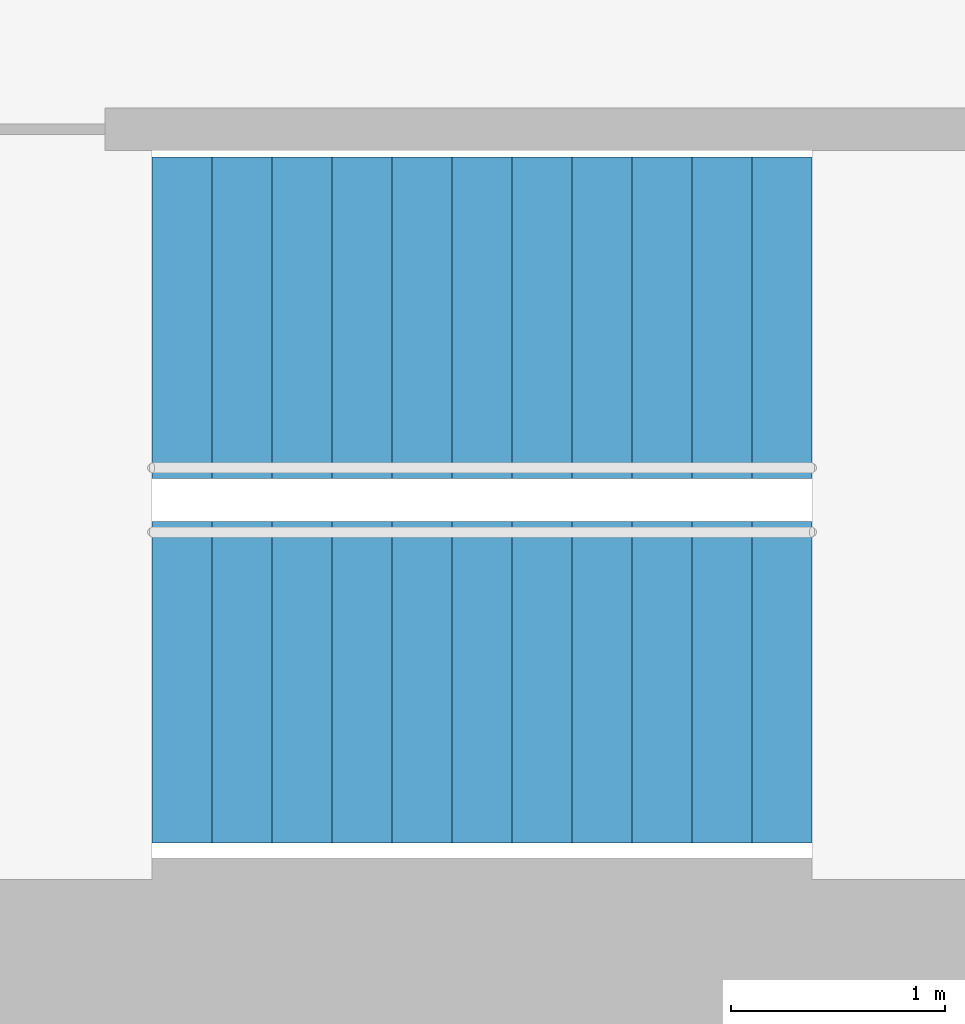
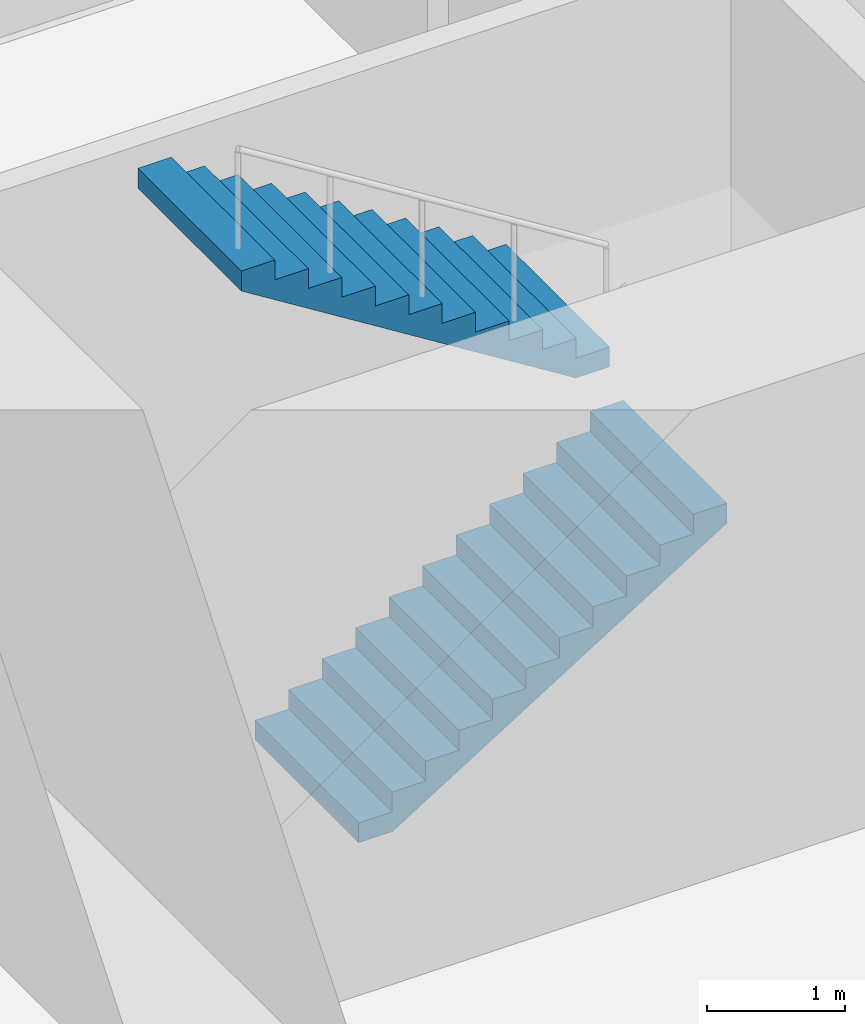
# One storey, part 15 of 17: 2 stair flights, 1 element without a shape of its own.
"""IFC4 building model written with IfcOpenShell, lengths in metres."""

from ifc_helpers import new_model, si_unit, direction, frame, origin, place, context, subcontext, project, spatial, triangles, material, type_object, element, aggregate, save


model = new_model("IFC4")

# Units and contexts
model_context = context("Model", 3, precision=1e-05, world=origin(), true_north=direction((0.0, 1.0)))
body_context = subcontext(model_context, "Body", "Model", "MODEL_VIEW")
ifc_project = project(units=[si_unit("LENGTHUNIT", "METRE"), si_unit("AREAUNIT", "SQUARE_METRE"), si_unit("VOLUMEUNIT", "CUBIC_METRE"), si_unit("PLANEANGLEUNIT", "RADIAN"), si_unit("MASSUNIT", "GRAM", prefix="KILO")], contexts=[model_context])

# Site, building, storey
site_placement = place(None, origin())
site = spatial("IfcSite", under=ifc_project, at=site_placement, CompositionType="ELEMENT")
building_placement = place(site_placement, origin())
building = spatial("IfcBuilding", under=site, at=building_placement, Name="Lantaw Convention Tower", CompositionType="ELEMENT")
storey_placement = place(building_placement, frame((0.0, 0.0, 125.800048828125)))
storey = spatial("IfcBuildingStorey", under=building, at=storey_placement, Name="L29", CompositionType="ELEMENT", Elevation=125.800048828125)

# Stair, stair flights
ifc_material = material(Name="Concrete C35/45", Category="concrete")
stair_type = type_object("IfcStairType", Name="Exit stair 1500 riser 175 in 2 flights", PredefinedType="HALF_TURN_STAIR", material=ifc_material)
stair_placement = place(storey_placement, origin())
stair = element("IfcStair", 1, at=stair_placement, inside=storey, type_object=stair_type, Name="Exit stair S1 L29", PredefinedType="HALF_TURN_STAIR")
stair_flight_type = type_object("IfcStairFlightType", Name="Stair flight 1500 riser 175", PredefinedType="STRAIGHT", material=ifc_material)
stair_flight_1_placement = place(storey_placement, frame((-10.580078125, -5.97998046875, 0.0), z_axis=(0.0, 0.0, 1.0), x_axis=(1.0, 0.0, 0.0)))
stair_flight_1 = element("IfcStairFlight", 2, at=stair_flight_1_placement, type_object=stair_flight_type, Name="S1 flight 1", NumberOfRisers=12, NumberOfTreads=11, PredefinedType="STRAIGHT", RiserHeight=0.175, TreadLength=0.28, context=body_context, shape_type="Tessellation", body=[
    triangles([(0.0, 0.75, 0.0), (0.0, 0.75, 0.175), (0.28, 0.75, 0.0), (0.28, 0.75, 0.175), (0.28, 0.75, 0.35), (0.28283517651771284, 0.75, 0.0), (0.28283517651771284, 0.75, 0.35), (0.56, 0.75, 0.17322801467642948), (0.56, 0.75, 0.35), (0.56, 0.75, 0.5249999999999999), (0.8400000000000001, 0.75, 0.34822801467642944), (0.8400000000000001, 0.75, 0.5249999999999999), (0.8400000000000001, 0.75, 0.7), (1.12, 0.75, 0.5232280146764294), (1.12, 0.75, 0.7), (1.12, 0.75, 0.875), (1.4000000000000001, 0.75, 0.6982280146764295), (1.4000000000000001, 0.75, 0.875), (1.4000000000000001, 0.75, 1.0499999999999998), (1.6800000000000002, 0.75, 0.8732280146764294), (1.6800000000000002, 0.75, 1.0499999999999998), (1.6800000000000002, 0.75, 1.2249999999999999), (1.9600000000000002, 0.75, 1.0482280146764293), (1.9600000000000002, 0.75, 1.2249999999999999), (1.9600000000000002, 0.75, 1.4), (2.24, 0.75, 1.2232280146764294), (2.24, 0.75, 1.4), (2.24, 0.75, 1.575), (2.5200000000000005, 0.75, 1.3982280146764294), (2.5200000000000005, 0.75, 1.575), (2.5200000000000005, 0.75, 1.75), (2.8000000000000003, 0.75, 1.5732280146764293), (2.8000000000000003, 0.75, 1.75), (2.8000000000000003, 0.75, 1.9249999999999998), (3.08, 0.75, 1.7482280146764293), (3.08, 0.75, 1.9249999999999998), (0.0, -0.75, 0.0), (0.0, -0.75, 0.175), (0.28, -0.75, 0.0), (0.28, -0.75, 0.175), (0.28, -0.75, 0.35), (0.28283517651771284, -0.75, 0.0), (0.28283517651771284, -0.75, 0.35), (0.56, -0.75, 0.17322801467642948), (0.56, -0.75, 0.35), (0.56, -0.75, 0.5249999999999999), (0.8400000000000001, -0.75, 0.34822801467642944), (0.8400000000000001, -0.75, 0.5249999999999999), (0.8400000000000001, -0.75, 0.7), (1.12, -0.75, 0.5232280146764294), (1.12, -0.75, 0.7), (1.12, -0.75, 0.875), (1.4000000000000001, -0.75, 0.6982280146764295), (1.4000000000000001, -0.75, 0.875), (1.4000000000000001, -0.75, 1.0499999999999998), (1.6800000000000002, -0.75, 0.8732280146764294), (1.6800000000000002, -0.75, 1.0499999999999998), (1.6800000000000002, -0.75, 1.2249999999999999), (1.9600000000000002, -0.75, 1.0482280146764293), (1.9600000000000002, -0.75, 1.2249999999999999), (1.9600000000000002, -0.75, 1.4), (2.24, -0.75, 1.2232280146764294), (2.24, -0.75, 1.4), (2.24, -0.75, 1.575), (2.5200000000000005, -0.75, 1.3982280146764294), (2.5200000000000005, -0.75, 1.575), (2.5200000000000005, -0.75, 1.75), (2.8000000000000003, -0.75, 1.5732280146764293), (2.8000000000000003, -0.75, 1.75), (2.8000000000000003, -0.75, 1.9249999999999998), (3.08, -0.75, 1.7482280146764293), (3.08, -0.75, 1.9249999999999998), (0.0, 0.15000000000000002, 0.175), (0.0, 0.15000000000000002, 0.0), (0.0, 0.0, 0.175), (0.0, 0.0, 0.0), (0.0, -0.15000000000000002, 0.175), (0.0, -0.15000000000000002, 0.0), (0.28, 0.15000000000000002, 0.35), (0.28, 0.15000000000000002, 0.175), (0.28, 0.0, 0.35), (0.28, 0.0, 0.175), (0.28, -0.15000000000000002, 0.35), (0.28, -0.15000000000000002, 0.175), (0.56, 0.15000000000000002, 0.5249999999999999), (0.56, 0.15000000000000002, 0.35), (0.56, 0.0, 0.5249999999999999), (0.56, 0.0, 0.35), (0.56, -0.15000000000000002, 0.5249999999999999), (0.56, -0.15000000000000002, 0.35), (0.8400000000000001, 0.15000000000000002, 0.7), (0.8400000000000001, 0.15000000000000002, 0.5249999999999999), (0.8400000000000001, 0.0, 0.7), (0.8400000000000001, 0.0, 0.5249999999999999), (0.8400000000000001, -0.15000000000000002, 0.7), (0.8400000000000001, -0.15000000000000002, 0.5249999999999999), (1.12, 0.15000000000000002, 0.875), (1.12, 0.15000000000000002, 0.7), (1.12, 0.0, 0.875), (1.12, 0.0, 0.7), (1.12, -0.15000000000000002, 0.875), (1.12, -0.15000000000000002, 0.7), (1.4000000000000001, 0.15000000000000002, 1.0499999999999998), (1.4000000000000001, 0.15000000000000002, 0.875), (1.4000000000000001, 0.0, 1.0499999999999998), (1.4000000000000001, 0.0, 0.875), (1.4000000000000001, -0.15000000000000002, 1.0499999999999998), (1.4000000000000001, -0.15000000000000002, 0.875), (1.6800000000000002, 0.15000000000000002, 1.2249999999999999), (1.6800000000000002, 0.15000000000000002, 1.0499999999999998), (1.6800000000000002, 0.0, 1.2249999999999999), (1.6800000000000002, 0.0, 1.0499999999999998), (1.6800000000000002, -0.15000000000000002, 1.2249999999999999), (1.6800000000000002, -0.15000000000000002, 1.0499999999999998), (1.9600000000000002, 0.15000000000000002, 1.4), (1.9600000000000002, 0.15000000000000002, 1.2249999999999999), (1.9600000000000002, 0.0, 1.4), (1.9600000000000002, 0.0, 1.2249999999999999), (1.9600000000000002, -0.15000000000000002, 1.4), (1.9600000000000002, -0.15000000000000002, 1.2249999999999999), (2.24, 0.15000000000000002, 1.575), (2.24, 0.15000000000000002, 1.4), (2.24, 0.0, 1.575), (2.24, 0.0, 1.4), (2.24, -0.15000000000000002, 1.575), (2.24, -0.15000000000000002, 1.4), (2.5200000000000005, 0.15000000000000002, 1.75), (2.5200000000000005, 0.15000000000000002, 1.575), (2.5200000000000005, 0.0, 1.75), (2.5200000000000005, 0.0, 1.575), (2.5200000000000005, -0.15000000000000002, 1.75), (2.5200000000000005, -0.15000000000000002, 1.575), (2.8000000000000003, 0.15000000000000002, 1.9249999999999998), (2.8000000000000003, 0.15000000000000002, 1.75), (2.8000000000000003, 0.0, 1.9249999999999998), (2.8000000000000003, 0.0, 1.75), (2.8000000000000003, -0.15000000000000002, 1.9249999999999998), (2.8000000000000003, -0.15000000000000002, 1.75), (0.28283517651771284, 0.15000000000000002, 0.35), (0.28283517651771284, 0.0, 0.35), (0.28283517651771284, -0.15000000000000002, 0.35), (3.08, 0.15000000000000002, 1.9249999999999998), (3.08, 0.0, 1.9249999999999998), (3.08, -0.15000000000000002, 1.9249999999999998), (3.08, 0.15000000000000002, 1.7482280146764293), (3.08, 0.0, 1.7482280146764293), (3.08, -0.15000000000000002, 1.7482280146764293), (2.8000000000000003, 0.15000000000000002, 1.5732280146764293), (2.8000000000000003, 0.0, 1.5732280146764293), (2.8000000000000003, -0.15000000000000002, 1.5732280146764293), (2.5200000000000005, 0.15000000000000002, 1.3982280146764294), (2.5200000000000005, 0.0, 1.3982280146764294), (2.5200000000000005, -0.15000000000000002, 1.3982280146764294), (2.24, 0.15000000000000002, 1.2232280146764294), (2.24, 0.0, 1.2232280146764294), (2.24, -0.15000000000000002, 1.2232280146764294), (1.9600000000000002, 0.15000000000000002, 1.0482280146764293), (1.9600000000000002, 0.0, 1.0482280146764293), (1.9600000000000002, -0.15000000000000002, 1.0482280146764293), (1.6800000000000002, 0.15000000000000002, 0.8732280146764294), (1.6800000000000002, 0.0, 0.8732280146764294), (1.6800000000000002, -0.15000000000000002, 0.8732280146764294), (1.4000000000000001, 0.15000000000000002, 0.6982280146764295), (1.4000000000000001, 0.0, 0.6982280146764295), (1.4000000000000001, -0.15000000000000002, 0.6982280146764295), (1.12, 0.15000000000000002, 0.5232280146764294), (1.12, 0.0, 0.5232280146764294), (1.12, -0.15000000000000002, 0.5232280146764294), (0.8400000000000001, 0.15000000000000002, 0.34822801467642944), (0.8400000000000001, 0.0, 0.34822801467642944), (0.8400000000000001, -0.15000000000000002, 0.34822801467642944), (0.56, 0.15000000000000002, 0.17322801467642948), (0.56, 0.0, 0.17322801467642948), (0.56, -0.15000000000000002, 0.17322801467642948), (0.28283517651771284, 0.15000000000000002, 0.0), (0.28283517651771284, 0.0, 0.0), (0.28283517651771284, -0.15000000000000002, 0.0), (0.28, 0.15000000000000002, 0.0), (0.28, 0.0, 0.0), (0.28, -0.15000000000000002, 0.0)], [[1, 4, 3], [1, 2, 4], [3, 4, 6], [4, 7, 6], [4, 5, 7], [6, 9, 8], [6, 7, 9], [8, 9, 11], [9, 12, 11], [9, 10, 12], [11, 12, 14], [12, 15, 14], [12, 13, 15], [14, 15, 17], [15, 18, 17], [15, 16, 18], [17, 18, 20], [18, 21, 20], [18, 19, 21], [20, 21, 23], [21, 24, 23], [21, 22, 24], [23, 24, 26], [24, 27, 26], [24, 25, 27], [26, 27, 29], [27, 30, 29], [27, 28, 30], [29, 30, 32], [30, 33, 32], [30, 31, 33], [32, 33, 35], [33, 36, 35], [33, 34, 36], [37, 39, 40], [37, 40, 38], [39, 42, 40], [40, 42, 43], [40, 43, 41], [42, 44, 45], [42, 45, 43], [44, 47, 45], [45, 47, 48], [45, 48, 46], [47, 50, 48], [48, 50, 51], [48, 51, 49], [50, 53, 51], [51, 53, 54], [51, 54, 52], [53, 56, 54], [54, 56, 57], [54, 57, 55], [56, 59, 57], [57, 59, 60], [57, 60, 58], [59, 62, 60], [60, 62, 63], [60, 63, 61], [62, 65, 63], [63, 65, 66], [63, 66, 64], [65, 68, 66], [66, 68, 69], [66, 69, 67], [68, 71, 69], [69, 71, 72], [69, 72, 70], [1, 73, 2], [1, 74, 73], [74, 75, 73], [74, 76, 75], [76, 77, 75], [76, 78, 77], [78, 38, 77], [78, 37, 38], [4, 79, 5], [4, 80, 79], [80, 81, 79], [80, 82, 81], [82, 83, 81], [82, 84, 83], [84, 41, 83], [84, 40, 41], [9, 85, 10], [9, 86, 85], [86, 87, 85], [86, 88, 87], [88, 89, 87], [88, 90, 89], [90, 46, 89], [90, 45, 46], [12, 91, 13], [12, 92, 91], [92, 93, 91], [92, 94, 93], [94, 95, 93], [94, 96, 95], [96, 49, 95], [96, 48, 49], [15, 97, 16], [15, 98, 97], [98, 99, 97], [98, 100, 99], [100, 101, 99], [100, 102, 101], [102, 52, 101], [102, 51, 52], [18, 103, 19], [18, 104, 103], [104, 105, 103], [104, 106, 105], [106, 107, 105], [106, 108, 107], [108, 55, 107], [108, 54, 55], [21, 109, 22], [21, 110, 109], [110, 111, 109], [110, 112, 111], [112, 113, 111], [112, 114, 113], [114, 58, 113], [114, 57, 58], [24, 115, 25], [24, 116, 115], [116, 117, 115], [116, 118, 117], [118, 119, 117], [118, 120, 119], [120, 61, 119], [120, 60, 61], [27, 121, 28], [27, 122, 121], [122, 123, 121], [122, 124, 123], [124, 125, 123], [124, 126, 125], [126, 64, 125], [126, 63, 64], [30, 127, 31], [30, 128, 127], [128, 129, 127], [128, 130, 129], [130, 131, 129], [130, 132, 131], [132, 67, 131], [132, 66, 67], [33, 133, 34], [33, 134, 133], [134, 135, 133], [134, 136, 135], [136, 137, 135], [136, 138, 137], [138, 70, 137], [138, 69, 70], [2, 80, 4], [2, 73, 80], [73, 82, 80], [73, 75, 82], [75, 84, 82], [75, 77, 84], [77, 40, 84], [77, 38, 40], [5, 139, 7], [5, 79, 139], [79, 140, 139], [79, 81, 140], [81, 141, 140], [81, 83, 141], [83, 43, 141], [83, 41, 43], [7, 86, 9], [7, 139, 86], [139, 88, 86], [139, 140, 88], [140, 90, 88], [140, 141, 90], [141, 45, 90], [141, 43, 45], [10, 92, 12], [10, 85, 92], [85, 94, 92], [85, 87, 94], [87, 96, 94], [87, 89, 96], [89, 48, 96], [89, 46, 48], [13, 98, 15], [13, 91, 98], [91, 100, 98], [91, 93, 100], [93, 102, 100], [93, 95, 102], [95, 51, 102], [95, 49, 51], [16, 104, 18], [16, 97, 104], [97, 106, 104], [97, 99, 106], [99, 108, 106], [99, 101, 108], [101, 54, 108], [101, 52, 54], [19, 110, 21], [19, 103, 110], [103, 112, 110], [103, 105, 112], [105, 114, 112], [105, 107, 114], [107, 57, 114], [107, 55, 57], [22, 116, 24], [22, 109, 116], [109, 118, 116], [109, 111, 118], [111, 120, 118], [111, 113, 120], [113, 60, 120], [113, 58, 60], [25, 122, 27], [25, 115, 122], [115, 124, 122], [115, 117, 124], [117, 126, 124], [117, 119, 126], [119, 63, 126], [119, 61, 63], [28, 128, 30], [28, 121, 128], [121, 130, 128], [121, 123, 130], [123, 132, 130], [123, 125, 132], [125, 66, 132], [125, 64, 66], [31, 134, 33], [31, 127, 134], [127, 136, 134], [127, 129, 136], [129, 138, 136], [129, 131, 138], [131, 69, 138], [131, 67, 69], [34, 142, 36], [34, 133, 142], [133, 143, 142], [133, 135, 143], [135, 144, 143], [135, 137, 144], [137, 72, 144], [137, 70, 72], [36, 145, 35], [36, 142, 145], [142, 146, 145], [142, 143, 146], [143, 147, 146], [143, 144, 147], [144, 71, 147], [144, 72, 71], [35, 148, 32], [35, 145, 148], [145, 149, 148], [145, 146, 149], [146, 150, 149], [146, 147, 150], [147, 68, 150], [147, 71, 68], [32, 151, 29], [32, 148, 151], [148, 152, 151], [148, 149, 152], [149, 153, 152], [149, 150, 153], [150, 65, 153], [150, 68, 65], [29, 154, 26], [29, 151, 154], [151, 155, 154], [151, 152, 155], [152, 156, 155], [152, 153, 156], [153, 62, 156], [153, 65, 62], [26, 157, 23], [26, 154, 157], [154, 158, 157], [154, 155, 158], [155, 159, 158], [155, 156, 159], [156, 59, 159], [156, 62, 59], [23, 160, 20], [23, 157, 160], [157, 161, 160], [157, 158, 161], [158, 162, 161], [158, 159, 162], [159, 56, 162], [159, 59, 56], [20, 163, 17], [20, 160, 163], [160, 164, 163], [160, 161, 164], [161, 165, 164], [161, 162, 165], [162, 53, 165], [162, 56, 53], [17, 166, 14], [17, 163, 166], [163, 167, 166], [163, 164, 167], [164, 168, 167], [164, 165, 168], [165, 50, 168], [165, 53, 50], [14, 169, 11], [14, 166, 169], [166, 170, 169], [166, 167, 170], [167, 171, 170], [167, 168, 171], [168, 47, 171], [168, 50, 47], [11, 172, 8], [11, 169, 172], [169, 173, 172], [169, 170, 173], [170, 174, 173], [170, 171, 174], [171, 44, 174], [171, 47, 44], [8, 175, 6], [8, 172, 175], [172, 176, 175], [172, 173, 176], [173, 177, 176], [173, 174, 177], [174, 42, 177], [174, 44, 42], [6, 178, 3], [6, 175, 178], [175, 179, 178], [175, 176, 179], [176, 180, 179], [176, 177, 180], [177, 39, 180], [177, 42, 39], [3, 74, 1], [3, 178, 74], [178, 76, 74], [178, 179, 76], [179, 78, 76], [179, 180, 78], [180, 37, 78], [180, 39, 37]], closed=True),
])
stair_flight_2_placement = place(storey_placement, frame((-7.5, -4.280029296875, 2.099853515625), z_axis=(0.0, 0.0, 1.0), x_axis=(-1.0, 0.0, 0.0)))
stair_flight_2 = element("IfcStairFlight", 3, at=stair_flight_2_placement, type_object=stair_flight_type, Name="S1 flight 2", NumberOfRisers=12, NumberOfTreads=11, PredefinedType="STRAIGHT", RiserHeight=0.175, TreadLength=0.28, context=body_context, shape_type="Tessellation", body=[
    triangles([(0.0, 0.75, 0.0), (0.0, 0.75, 0.175), (0.28, 0.75, 0.0), (0.28, 0.75, 0.175), (0.28, 0.75, 0.35), (0.28283517651771284, 0.75, 0.0), (0.28283517651771284, 0.75, 0.35), (0.56, 0.75, 0.17322801467642948), (0.56, 0.75, 0.35), (0.56, 0.75, 0.5249999999999999), (0.8400000000000001, 0.75, 0.34822801467642944), (0.8400000000000001, 0.75, 0.5249999999999999), (0.8400000000000001, 0.75, 0.7), (1.12, 0.75, 0.5232280146764294), (1.12, 0.75, 0.7), (1.12, 0.75, 0.875), (1.4000000000000001, 0.75, 0.6982280146764295), (1.4000000000000001, 0.75, 0.875), (1.4000000000000001, 0.75, 1.0499999999999998), (1.6800000000000002, 0.75, 0.8732280146764294), (1.6800000000000002, 0.75, 1.0499999999999998), (1.6800000000000002, 0.75, 1.2249999999999999), (1.9600000000000002, 0.75, 1.0482280146764293), (1.9600000000000002, 0.75, 1.2249999999999999), (1.9600000000000002, 0.75, 1.4), (2.24, 0.75, 1.2232280146764294), (2.24, 0.75, 1.4), (2.24, 0.75, 1.575), (2.5200000000000005, 0.75, 1.3982280146764294), (2.5200000000000005, 0.75, 1.575), (2.5200000000000005, 0.75, 1.75), (2.8000000000000003, 0.75, 1.5732280146764293), (2.8000000000000003, 0.75, 1.75), (2.8000000000000003, 0.75, 1.9249999999999998), (3.08, 0.75, 1.7482280146764293), (3.08, 0.75, 1.9249999999999998), (0.0, -0.75, 0.0), (0.0, -0.75, 0.175), (0.28, -0.75, 0.0), (0.28, -0.75, 0.175), (0.28, -0.75, 0.35), (0.28283517651771284, -0.75, 0.0), (0.28283517651771284, -0.75, 0.35), (0.56, -0.75, 0.17322801467642948), (0.56, -0.75, 0.35), (0.56, -0.75, 0.5249999999999999), (0.8400000000000001, -0.75, 0.34822801467642944), (0.8400000000000001, -0.75, 0.5249999999999999), (0.8400000000000001, -0.75, 0.7), (1.12, -0.75, 0.5232280146764294), (1.12, -0.75, 0.7), (1.12, -0.75, 0.875), (1.4000000000000001, -0.75, 0.6982280146764295), (1.4000000000000001, -0.75, 0.875), (1.4000000000000001, -0.75, 1.0499999999999998), (1.6800000000000002, -0.75, 0.8732280146764294), (1.6800000000000002, -0.75, 1.0499999999999998), (1.6800000000000002, -0.75, 1.2249999999999999), (1.9600000000000002, -0.75, 1.0482280146764293), (1.9600000000000002, -0.75, 1.2249999999999999), (1.9600000000000002, -0.75, 1.4), (2.24, -0.75, 1.2232280146764294), (2.24, -0.75, 1.4), (2.24, -0.75, 1.575), (2.5200000000000005, -0.75, 1.3982280146764294), (2.5200000000000005, -0.75, 1.575), (2.5200000000000005, -0.75, 1.75), (2.8000000000000003, -0.75, 1.5732280146764293), (2.8000000000000003, -0.75, 1.75), (2.8000000000000003, -0.75, 1.9249999999999998), (3.08, -0.75, 1.7482280146764293), (3.08, -0.75, 1.9249999999999998), (0.0, 0.15000000000000002, 0.175), (0.0, 0.15000000000000002, 0.0), (0.0, 0.0, 0.175), (0.0, 0.0, 0.0), (0.0, -0.15000000000000002, 0.175), (0.0, -0.15000000000000002, 0.0), (0.28, 0.15000000000000002, 0.35), (0.28, 0.15000000000000002, 0.175), (0.28, 0.0, 0.35), (0.28, 0.0, 0.175), (0.28, -0.15000000000000002, 0.35), (0.28, -0.15000000000000002, 0.175), (0.56, 0.15000000000000002, 0.5249999999999999), (0.56, 0.15000000000000002, 0.35), (0.56, 0.0, 0.5249999999999999), (0.56, 0.0, 0.35), (0.56, -0.15000000000000002, 0.5249999999999999), (0.56, -0.15000000000000002, 0.35), (0.8400000000000001, 0.15000000000000002, 0.7), (0.8400000000000001, 0.15000000000000002, 0.5249999999999999), (0.8400000000000001, 0.0, 0.7), (0.8400000000000001, 0.0, 0.5249999999999999), (0.8400000000000001, -0.15000000000000002, 0.7), (0.8400000000000001, -0.15000000000000002, 0.5249999999999999), (1.12, 0.15000000000000002, 0.875), (1.12, 0.15000000000000002, 0.7), (1.12, 0.0, 0.875), (1.12, 0.0, 0.7), (1.12, -0.15000000000000002, 0.875), (1.12, -0.15000000000000002, 0.7), (1.4000000000000001, 0.15000000000000002, 1.0499999999999998), (1.4000000000000001, 0.15000000000000002, 0.875), (1.4000000000000001, 0.0, 1.0499999999999998), (1.4000000000000001, 0.0, 0.875), (1.4000000000000001, -0.15000000000000002, 1.0499999999999998), (1.4000000000000001, -0.15000000000000002, 0.875), (1.6800000000000002, 0.15000000000000002, 1.2249999999999999), (1.6800000000000002, 0.15000000000000002, 1.0499999999999998), (1.6800000000000002, 0.0, 1.2249999999999999), (1.6800000000000002, 0.0, 1.0499999999999998), (1.6800000000000002, -0.15000000000000002, 1.2249999999999999), (1.6800000000000002, -0.15000000000000002, 1.0499999999999998), (1.9600000000000002, 0.15000000000000002, 1.4), (1.9600000000000002, 0.15000000000000002, 1.2249999999999999), (1.9600000000000002, 0.0, 1.4), (1.9600000000000002, 0.0, 1.2249999999999999), (1.9600000000000002, -0.15000000000000002, 1.4), (1.9600000000000002, -0.15000000000000002, 1.2249999999999999), (2.24, 0.15000000000000002, 1.575), (2.24, 0.15000000000000002, 1.4), (2.24, 0.0, 1.575), (2.24, 0.0, 1.4), (2.24, -0.15000000000000002, 1.575), (2.24, -0.15000000000000002, 1.4), (2.5200000000000005, 0.15000000000000002, 1.75), (2.5200000000000005, 0.15000000000000002, 1.575), (2.5200000000000005, 0.0, 1.75), (2.5200000000000005, 0.0, 1.575), (2.5200000000000005, -0.15000000000000002, 1.75), (2.5200000000000005, -0.15000000000000002, 1.575), (2.8000000000000003, 0.15000000000000002, 1.9249999999999998), (2.8000000000000003, 0.15000000000000002, 1.75), (2.8000000000000003, 0.0, 1.9249999999999998), (2.8000000000000003, 0.0, 1.75), (2.8000000000000003, -0.15000000000000002, 1.9249999999999998), (2.8000000000000003, -0.15000000000000002, 1.75), (0.28283517651771284, 0.15000000000000002, 0.35), (0.28283517651771284, 0.0, 0.35), (0.28283517651771284, -0.15000000000000002, 0.35), (3.08, 0.15000000000000002, 1.9249999999999998), (3.08, 0.0, 1.9249999999999998), (3.08, -0.15000000000000002, 1.9249999999999998), (3.08, 0.15000000000000002, 1.7482280146764293), (3.08, 0.0, 1.7482280146764293), (3.08, -0.15000000000000002, 1.7482280146764293), (2.8000000000000003, 0.15000000000000002, 1.5732280146764293), (2.8000000000000003, 0.0, 1.5732280146764293), (2.8000000000000003, -0.15000000000000002, 1.5732280146764293), (2.5200000000000005, 0.15000000000000002, 1.3982280146764294), (2.5200000000000005, 0.0, 1.3982280146764294), (2.5200000000000005, -0.15000000000000002, 1.3982280146764294), (2.24, 0.15000000000000002, 1.2232280146764294), (2.24, 0.0, 1.2232280146764294), (2.24, -0.15000000000000002, 1.2232280146764294), (1.9600000000000002, 0.15000000000000002, 1.0482280146764293), (1.9600000000000002, 0.0, 1.0482280146764293), (1.9600000000000002, -0.15000000000000002, 1.0482280146764293), (1.6800000000000002, 0.15000000000000002, 0.8732280146764294), (1.6800000000000002, 0.0, 0.8732280146764294), (1.6800000000000002, -0.15000000000000002, 0.8732280146764294), (1.4000000000000001, 0.15000000000000002, 0.6982280146764295), (1.4000000000000001, 0.0, 0.6982280146764295), (1.4000000000000001, -0.15000000000000002, 0.6982280146764295), (1.12, 0.15000000000000002, 0.5232280146764294), (1.12, 0.0, 0.5232280146764294), (1.12, -0.15000000000000002, 0.5232280146764294), (0.8400000000000001, 0.15000000000000002, 0.34822801467642944), (0.8400000000000001, 0.0, 0.34822801467642944), (0.8400000000000001, -0.15000000000000002, 0.34822801467642944), (0.56, 0.15000000000000002, 0.17322801467642948), (0.56, 0.0, 0.17322801467642948), (0.56, -0.15000000000000002, 0.17322801467642948), (0.28283517651771284, 0.15000000000000002, 0.0), (0.28283517651771284, 0.0, 0.0), (0.28283517651771284, -0.15000000000000002, 0.0), (0.28, 0.15000000000000002, 0.0), (0.28, 0.0, 0.0), (0.28, -0.15000000000000002, 0.0)], [[1, 4, 3], [1, 2, 4], [3, 4, 6], [4, 7, 6], [4, 5, 7], [6, 9, 8], [6, 7, 9], [8, 9, 11], [9, 12, 11], [9, 10, 12], [11, 12, 14], [12, 15, 14], [12, 13, 15], [14, 15, 17], [15, 18, 17], [15, 16, 18], [17, 18, 20], [18, 21, 20], [18, 19, 21], [20, 21, 23], [21, 24, 23], [21, 22, 24], [23, 24, 26], [24, 27, 26], [24, 25, 27], [26, 27, 29], [27, 30, 29], [27, 28, 30], [29, 30, 32], [30, 33, 32], [30, 31, 33], [32, 33, 35], [33, 36, 35], [33, 34, 36], [37, 39, 40], [37, 40, 38], [39, 42, 40], [40, 42, 43], [40, 43, 41], [42, 44, 45], [42, 45, 43], [44, 47, 45], [45, 47, 48], [45, 48, 46], [47, 50, 48], [48, 50, 51], [48, 51, 49], [50, 53, 51], [51, 53, 54], [51, 54, 52], [53, 56, 54], [54, 56, 57], [54, 57, 55], [56, 59, 57], [57, 59, 60], [57, 60, 58], [59, 62, 60], [60, 62, 63], [60, 63, 61], [62, 65, 63], [63, 65, 66], [63, 66, 64], [65, 68, 66], [66, 68, 69], [66, 69, 67], [68, 71, 69], [69, 71, 72], [69, 72, 70], [1, 73, 2], [1, 74, 73], [74, 75, 73], [74, 76, 75], [76, 77, 75], [76, 78, 77], [78, 38, 77], [78, 37, 38], [4, 79, 5], [4, 80, 79], [80, 81, 79], [80, 82, 81], [82, 83, 81], [82, 84, 83], [84, 41, 83], [84, 40, 41], [9, 85, 10], [9, 86, 85], [86, 87, 85], [86, 88, 87], [88, 89, 87], [88, 90, 89], [90, 46, 89], [90, 45, 46], [12, 91, 13], [12, 92, 91], [92, 93, 91], [92, 94, 93], [94, 95, 93], [94, 96, 95], [96, 49, 95], [96, 48, 49], [15, 97, 16], [15, 98, 97], [98, 99, 97], [98, 100, 99], [100, 101, 99], [100, 102, 101], [102, 52, 101], [102, 51, 52], [18, 103, 19], [18, 104, 103], [104, 105, 103], [104, 106, 105], [106, 107, 105], [106, 108, 107], [108, 55, 107], [108, 54, 55], [21, 109, 22], [21, 110, 109], [110, 111, 109], [110, 112, 111], [112, 113, 111], [112, 114, 113], [114, 58, 113], [114, 57, 58], [24, 115, 25], [24, 116, 115], [116, 117, 115], [116, 118, 117], [118, 119, 117], [118, 120, 119], [120, 61, 119], [120, 60, 61], [27, 121, 28], [27, 122, 121], [122, 123, 121], [122, 124, 123], [124, 125, 123], [124, 126, 125], [126, 64, 125], [126, 63, 64], [30, 127, 31], [30, 128, 127], [128, 129, 127], [128, 130, 129], [130, 131, 129], [130, 132, 131], [132, 67, 131], [132, 66, 67], [33, 133, 34], [33, 134, 133], [134, 135, 133], [134, 136, 135], [136, 137, 135], [136, 138, 137], [138, 70, 137], [138, 69, 70], [2, 80, 4], [2, 73, 80], [73, 82, 80], [73, 75, 82], [75, 84, 82], [75, 77, 84], [77, 40, 84], [77, 38, 40], [5, 139, 7], [5, 79, 139], [79, 140, 139], [79, 81, 140], [81, 141, 140], [81, 83, 141], [83, 43, 141], [83, 41, 43], [7, 86, 9], [7, 139, 86], [139, 88, 86], [139, 140, 88], [140, 90, 88], [140, 141, 90], [141, 45, 90], [141, 43, 45], [10, 92, 12], [10, 85, 92], [85, 94, 92], [85, 87, 94], [87, 96, 94], [87, 89, 96], [89, 48, 96], [89, 46, 48], [13, 98, 15], [13, 91, 98], [91, 100, 98], [91, 93, 100], [93, 102, 100], [93, 95, 102], [95, 51, 102], [95, 49, 51], [16, 104, 18], [16, 97, 104], [97, 106, 104], [97, 99, 106], [99, 108, 106], [99, 101, 108], [101, 54, 108], [101, 52, 54], [19, 110, 21], [19, 103, 110], [103, 112, 110], [103, 105, 112], [105, 114, 112], [105, 107, 114], [107, 57, 114], [107, 55, 57], [22, 116, 24], [22, 109, 116], [109, 118, 116], [109, 111, 118], [111, 120, 118], [111, 113, 120], [113, 60, 120], [113, 58, 60], [25, 122, 27], [25, 115, 122], [115, 124, 122], [115, 117, 124], [117, 126, 124], [117, 119, 126], [119, 63, 126], [119, 61, 63], [28, 128, 30], [28, 121, 128], [121, 130, 128], [121, 123, 130], [123, 132, 130], [123, 125, 132], [125, 66, 132], [125, 64, 66], [31, 134, 33], [31, 127, 134], [127, 136, 134], [127, 129, 136], [129, 138, 136], [129, 131, 138], [131, 69, 138], [131, 67, 69], [34, 142, 36], [34, 133, 142], [133, 143, 142], [133, 135, 143], [135, 144, 143], [135, 137, 144], [137, 72, 144], [137, 70, 72], [36, 145, 35], [36, 142, 145], [142, 146, 145], [142, 143, 146], [143, 147, 146], [143, 144, 147], [144, 71, 147], [144, 72, 71], [35, 148, 32], [35, 145, 148], [145, 149, 148], [145, 146, 149], [146, 150, 149], [146, 147, 150], [147, 68, 150], [147, 71, 68], [32, 151, 29], [32, 148, 151], [148, 152, 151], [148, 149, 152], [149, 153, 152], [149, 150, 153], [150, 65, 153], [150, 68, 65], [29, 154, 26], [29, 151, 154], [151, 155, 154], [151, 152, 155], [152, 156, 155], [152, 153, 156], [153, 62, 156], [153, 65, 62], [26, 157, 23], [26, 154, 157], [154, 158, 157], [154, 155, 158], [155, 159, 158], [155, 156, 159], [156, 59, 159], [156, 62, 59], [23, 160, 20], [23, 157, 160], [157, 161, 160], [157, 158, 161], [158, 162, 161], [158, 159, 162], [159, 56, 162], [159, 59, 56], [20, 163, 17], [20, 160, 163], [160, 164, 163], [160, 161, 164], [161, 165, 164], [161, 162, 165], [162, 53, 165], [162, 56, 53], [17, 166, 14], [17, 163, 166], [163, 167, 166], [163, 164, 167], [164, 168, 167], [164, 165, 168], [165, 50, 168], [165, 53, 50], [14, 169, 11], [14, 166, 169], [166, 170, 169], [166, 167, 170], [167, 171, 170], [167, 168, 171], [168, 47, 171], [168, 50, 47], [11, 172, 8], [11, 169, 172], [169, 173, 172], [169, 170, 173], [170, 174, 173], [170, 171, 174], [171, 44, 174], [171, 47, 44], [8, 175, 6], [8, 172, 175], [172, 176, 175], [172, 173, 176], [173, 177, 176], [173, 174, 177], [174, 42, 177], [174, 44, 42], [6, 178, 3], [6, 175, 178], [175, 179, 178], [175, 176, 179], [176, 180, 179], [176, 177, 180], [177, 39, 180], [177, 42, 39], [3, 74, 1], [3, 178, 74], [178, 76, 74], [178, 179, 76], [179, 78, 76], [179, 180, 78], [180, 37, 78], [180, 39, 37]], closed=True),
])
aggregate(stair, [stair_flight_1, stair_flight_2])

save(model, "model.ifc")
